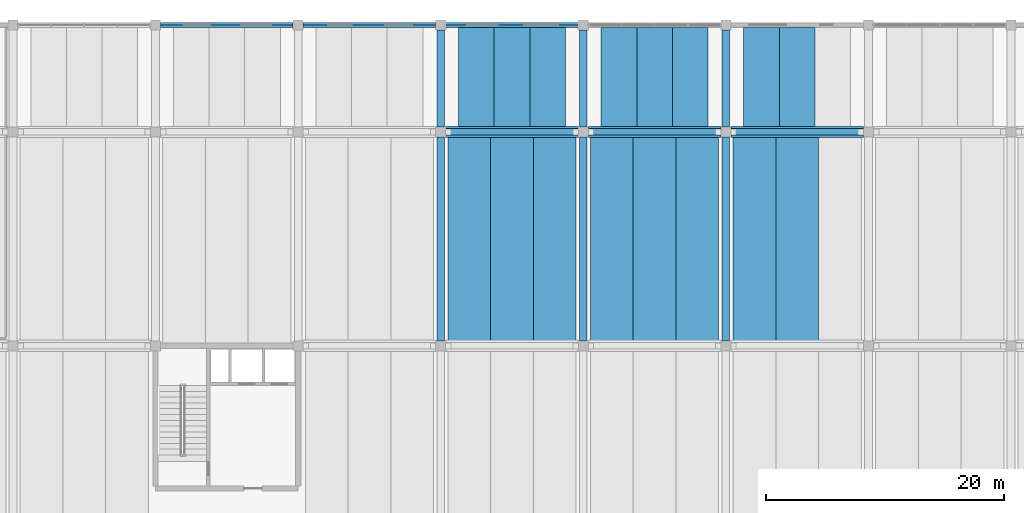
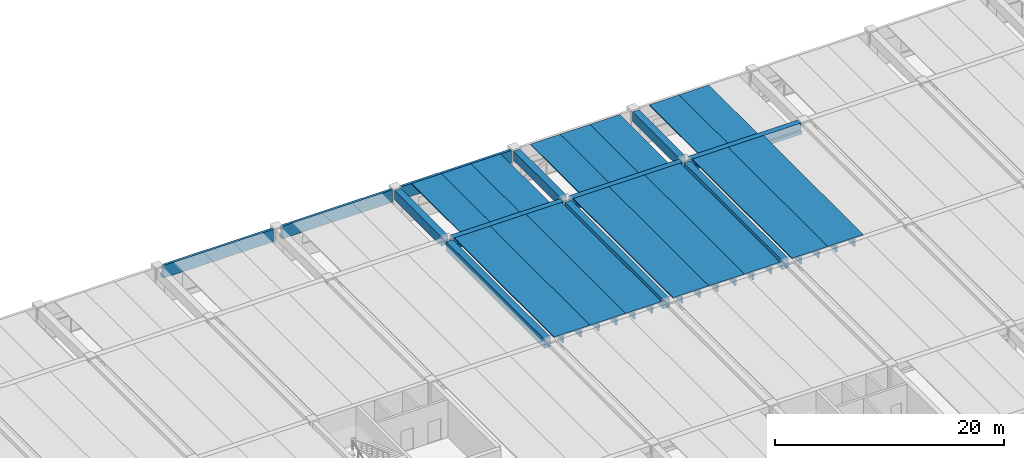
# One storey, part 20 of 50: 28 beams.
"""IFC4 building model written with IfcOpenShell, lengths in metres."""

from ifc_helpers import new_model, si_unit, direction, frame, origin, origin_2d, place, context, subcontext, project, spatial, polyline, rectangle, outline, extrude, material, material_profile, profile_set, type_object, element, save


model = new_model("IFC4")

# Units and contexts
model_context = context("Model", 3, precision=1e-05, world=origin(), true_north=direction((0.0, 1.0)))
body_context = subcontext(model_context, "Body", "Model", "MODEL_VIEW")
ifc_project = project(units=[si_unit("LENGTHUNIT", "METRE"), si_unit("AREAUNIT", "SQUARE_METRE"), si_unit("VOLUMEUNIT", "CUBIC_METRE"), si_unit("PLANEANGLEUNIT", "RADIAN"), si_unit("MASSUNIT", "GRAM", prefix="KILO")], contexts=[model_context])

# Site, building, storey
site_placement = place(None, origin())
site = spatial("IfcSite", under=ifc_project, at=site_placement, CompositionType="ELEMENT")
building_placement = place(site_placement, origin())
building = spatial("IfcBuilding", under=site, at=building_placement, Name="Girod Span Mobility Hub", CompositionType="ELEMENT")
storey_placement = place(building_placement, frame((0.0, 0.0, 5.39990234375)))
storey = spatial("IfcBuildingStorey", under=building, at=storey_placement, Name="L01", CompositionType="ELEMENT", Elevation=5.39990234375)

# Beams
ifc_material_1 = material(Name="Concrete C50/60", Category="concrete")
ifc_material_profile_1 = material_profile(ifc_material_1, outline(polyline([(-1.5, 0.35009765625), (-1.5, 0.2548828125), (-0.840087890625, 0.2548828125), (-0.81494140625, -0.35009765625), (-0.68505859375, -0.35009765625), (-0.659912109375, 0.2548828125), (0.659912109375, 0.2548828125), (0.68505859375, -0.35009765625), (0.81494140625, -0.35009765625), (0.840087890625, 0.2548828125), (1.5, 0.2548828125), (1.5, 0.35009765625), (-1.5, 0.35009765625)])), Name="DT-3000X700")
ifc_profile_set_1 = profile_set([ifc_material_profile_1], Name="Concrete C50/60")
beam_type_1 = type_object("IfcBeamType", Name="BM-DT-3000X700", PredefinedType="JOIST", material=ifc_profile_set_1)
for number, where, z_axis, x_axis, name in (
    (1, (99.0, 105.27197265625, 3.690185546875), (0.0, 1.0, 0.0), (-1.0, 0.0, 0.0), "Double-Tee Deck 9/H-1 L01"),
    (2, (102.0, 105.27197265625, 3.690185546875), (0.0, 1.0, 0.0), (-1.0, 0.0, 0.0), "Double-Tee Deck 9/H-2 L01"),
    (3, (105.0, 105.27197265625, 3.690185546875), (0.0, 1.0, 0.0), (-1.0, 0.0, 0.0), "Double-Tee Deck 9/H-3 L01"),
    (4, (111.0, 105.27197265625, 3.690185546875), (0.0, 1.0, 0.0), (-1.0, 0.0, 0.0), "Double-Tee Deck 10/H-1 L01"),
    (5, (114.0, 105.27197265625, 3.690185546875), (0.0, 1.0, 0.0), (-1.0, 0.0, 0.0), "Double-Tee Deck 10/H-2 L01"),
    (6, (117.0, 105.27197265625, 3.690185546875), (0.0, 1.0, 0.0), (-1.0, 0.0, 0.0), "Double-Tee Deck 10/H-3 L01"),
    (7, (123.0, 105.27197265625, 3.690185546875), (0.0, 1.0, 0.0), (-1.0, 0.0, 0.0), "Double-Tee Deck 11/H-1 L01"),
    (8, (126.0, 105.27197265625, 3.690185546875), (0.0, 1.0, 0.0), (-1.0, 0.0, 0.0), "Double-Tee Deck 11/H-2 L01"),
):
    element("IfcBeam", number, at=place(storey_placement, frame(where, z_axis=z_axis, x_axis=x_axis)), inside=storey, type_object=beam_type_1, Name=name, PredefinedType="JOIST", context=body_context, shape_type="SweptSolid", body=[
        extrude(outline(polyline([(-1.5, 0.35009765625), (-1.5, 0.2548828125), (-0.840087890625, 0.2548828125), (-0.81494140625, -0.35009765625), (-0.68505859375, -0.35009765625), (-0.659912109375, 0.2548828125), (0.659912109375, 0.2548828125), (0.68505859375, -0.35009765625), (0.81494140625, -0.35009765625), (0.840087890625, 0.2548828125), (1.5, 0.2548828125), (1.5, 0.35009765625), (-1.5, 0.35009765625)])), origin(), (0.0, 0.0, 1.0), 8.506103515625),
    ])
ifc_material_2 = material(Name="Concrete C50/60", Category="concrete")
ifc_material_profile_2 = material_profile(ifc_material_2, outline(polyline([(-1.800048828125, 0.47509765625), (-1.800048828125, 0.364990234375), (-1.010009765625, 0.364990234375), (-0.97509765625, -0.47509765625), (-0.824951171875, -0.47509765625), (-0.7900390625, 0.364990234375), (0.7900390625, 0.364990234375), (0.824951171875, -0.47509765625), (0.97509765625, -0.47509765625), (1.010009765625, 0.364990234375), (1.800048828125, 0.364990234375), (1.800048828125, 0.47509765625), (-1.800048828125, 0.47509765625)])), Name="DT-3600X950")
ifc_profile_set_2 = profile_set([ifc_material_profile_2], Name="Concrete C50/60")
beam_type_2 = type_object("IfcBeamType", Name="BM-DT-3600X950", PredefinedType="JOIST", material=ifc_profile_set_2)
for number, where, z_axis, x_axis, name in (
    (9, (98.39990234375, 87.27197265625, 3.565185546875), (0.0, 1.0, 0.0), (-1.0, 0.0, 0.0), "Double-Tee Deck 9/G-1 L01"),
    (10, (102.0, 87.27197265625, 3.565185546875), (0.0, 1.0, 0.0), (-1.0, 0.0, 0.0), "Double-Tee Deck 9/G-2 L01"),
    (11, (105.60009765625, 87.27197265625, 3.565185546875), (0.0, 1.0, 0.0), (-1.0, 0.0, 0.0), "Double-Tee Deck 9/G-3 L01"),
    (12, (110.39990234375, 87.27197265625, 3.565185546875), (0.0, 1.0, 0.0), (-1.0, 0.0, 0.0), "Double-Tee Deck 10/G-1 L01"),
    (13, (114.0, 87.27197265625, 3.565185546875), (0.0, 1.0, 0.0), (-1.0, 0.0, 0.0), "Double-Tee Deck 10/G-2 L01"),
    (14, (117.60009765625, 87.27197265625, 3.565185546875), (0.0, 1.0, 0.0), (-1.0, 0.0, 0.0), "Double-Tee Deck 10/G-3 L01"),
    (15, (122.39990234375, 87.27197265625, 3.565185546875), (0.0, 1.0, 0.0), (-1.0, 0.0, 0.0), "Double-Tee Deck 11/G-1 L01"),
    (16, (126.0, 87.27197265625, 3.565185546875), (0.0, 1.0, 0.0), (-1.0, 0.0, 0.0), "Double-Tee Deck 11/G-2 L01"),
):
    element("IfcBeam", number, at=place(storey_placement, frame(where, z_axis=z_axis, x_axis=x_axis)), inside=storey, type_object=beam_type_2, Name=name, PredefinedType="JOIST", context=body_context, shape_type="SweptSolid", body=[
        extrude(outline(polyline([(-1.800048828125, 0.47509765625), (-1.800048828125, 0.364990234375), (-1.010009765625, 0.364990234375), (-0.97509765625, -0.47509765625), (-0.824951171875, -0.47509765625), (-0.7900390625, 0.364990234375), (0.7900390625, 0.364990234375), (0.824951171875, -0.47509765625), (0.97509765625, -0.47509765625), (1.010009765625, 0.364990234375), (1.800048828125, 0.364990234375), (1.800048828125, 0.47509765625), (-1.800048828125, 0.47509765625)])), origin(), (0.0, 0.0, 1.0), 17.4560546875),
    ])
ifc_material_3 = material(Name="Concrete C50/60", Category="concrete")
ifc_material_profile_3 = material_profile(ifc_material_3, outline(polyline([(-0.47509765625, -0.52490234375), (0.47509765625, -0.52490234375), (0.47509765625, -0.175048828125), (0.27490234375, -0.175048828125), (0.27490234375, 0.52490234375), (-0.27490234375, 0.52490234375), (-0.27490234375, -0.175048828125), (-0.47509765625, -0.175048828125), (-0.47509765625, -0.52490234375)])), Name="IT-950X1050")
ifc_profile_set_3 = profile_set([ifc_material_profile_3], Name="Concrete C50/60")
beam_type_3 = type_object("IfcBeamType", Name="BM-IT-950X1050", PredefinedType="T_BEAM", material=ifc_profile_set_3)
for number, where, z_axis, x_axis, name in (
    (17, (96.422119140625, 105.0, 3.51513671875), (1.0, 0.0, 0.0), (0.0, 1.0, 0.0), "Girder 9-10/H L01"),
    (18, (108.422119140625, 105.0, 3.51513671875), (1.0, 0.0, 0.0), (0.0, 1.0, 0.0), "Girder 10-11/H L01"),
    (19, (120.422119140625, 105.0, 3.51513671875), (1.0, 0.0, 0.0), (0.0, 1.0, 0.0), "Girder 11-12/H L01"),
):
    element("IfcBeam", number, at=place(storey_placement, frame(where, z_axis=z_axis, x_axis=x_axis)), inside=storey, type_object=beam_type_3, Name=name, PredefinedType="T_BEAM", context=body_context, shape_type="SweptSolid", body=[
        extrude(outline(polyline([(-0.47509765625, -0.52490234375), (0.47509765625, -0.52490234375), (0.47509765625, -0.175048828125), (0.27490234375, -0.175048828125), (0.27490234375, 0.52490234375), (-0.27490234375, 0.52490234375), (-0.27490234375, -0.175048828125), (-0.47509765625, -0.175048828125), (-0.47509765625, -0.52490234375)])), origin(), (0.0, 0.0, 1.0), 11.15576171875),
    ])
ifc_material_4 = material(Name="Concrete C40/50", Category="concrete")
ifc_material_profile_4 = material_profile(ifc_material_4, outline(polyline([(-0.22509765625, -0.675048828125), (0.22509765625, -0.675048828125), (0.22509765625, -0.324951171875), (0.02490234375, -0.324951171875), (0.02490234375, 0.675048828125), (-0.22509765625, 0.675048828125), (-0.22509765625, -0.675048828125)])), Name="SP-450X1350")
ifc_profile_set_4 = profile_set([ifc_material_profile_4], Name="Concrete C40/50")
beam_type_4 = type_object("IfcBeamType", Name="BM-SP-450X1350", PredefinedType="SPANDREL", material=ifc_profile_set_4)
for number, where, z_axis, x_axis, name in (
    (20, (72.422119140625, 114.0, 3.364990234375), (1.0, 0.0, 0.0), (0.0, 1.0, 0.0), "Girder 7-8/J L01"),
    (21, (84.422119140625, 114.0, 3.364990234375), (1.0, 0.0, 0.0), (0.0, 1.0, 0.0), "Girder 8-9/J L01"),
    (22, (96.422119140625, 114.0, 3.364990234375), (1.0, 0.0, 0.0), (0.0, 1.0, 0.0), "Girder 9-10/J L01"),
):
    element("IfcBeam", number, at=place(storey_placement, frame(where, z_axis=z_axis, x_axis=x_axis)), inside=storey, type_object=beam_type_4, Name=name, PredefinedType="SPANDREL", context=body_context, shape_type="SweptSolid", body=[
        extrude(outline(polyline([(-0.22509765625, -0.675048828125), (0.22509765625, -0.675048828125), (0.22509765625, -0.324951171875), (0.02490234375, -0.324951171875), (0.02490234375, 0.675048828125), (-0.22509765625, 0.675048828125), (-0.22509765625, -0.675048828125)])), origin(), (0.0, 0.0, 1.0), 11.15576171875),
    ])
ifc_material_5 = material(Name="Concrete C40/50", Category="concrete")
ifc_material_profile_5 = material_profile(ifc_material_5, rectangle(XDim=0.64990234375, YDim=1.0, at=origin_2d()), Name="TG-650X1000")
ifc_profile_set_5 = profile_set([ifc_material_profile_5], Name="Concrete C40/50")
beam_type_5 = type_object("IfcBeamType", Name="BM-TG-650X1000", PredefinedType="T_BEAM", material=ifc_profile_set_5)
beam_1_placement = place(storey_placement, frame((96.0, 87.422119140625, 3.5400390625), z_axis=(0.0, 1.0, 0.0), x_axis=(-1.0, 0.0, 0.0)))
element("IfcBeam", 23, at=beam_1_placement, inside=storey, type_object=beam_type_5, Name="Tie Girder 9/G-H L01", PredefinedType="T_BEAM", context=body_context, shape_type="SweptSolid", body=[
    extrude(rectangle(XDim=0.64990234375, YDim=1.0, at=origin_2d()), origin(), (0.0, 0.0, 1.0), 17.15576171875),
])
beam_2_placement = place(storey_placement, frame((96.0, 105.422119140625, 3.5400390625), z_axis=(0.0, 1.0, 0.0), x_axis=(-1.0, 0.0, 0.0)))
element("IfcBeam", 24, at=beam_2_placement, inside=storey, type_object=beam_type_5, Name="Tie Girder 9/H-J L01", PredefinedType="T_BEAM", context=body_context, shape_type="SweptSolid", body=[
    extrude(rectangle(XDim=0.64990234375, YDim=1.0, at=origin_2d()), origin(), (0.0, 0.0, 1.0), 8.15576171875),
])
beam_3_placement = place(storey_placement, frame((108.0, 87.422119140625, 3.5400390625), z_axis=(0.0, 1.0, 0.0), x_axis=(-1.0, 0.0, 0.0)))
element("IfcBeam", 25, at=beam_3_placement, inside=storey, type_object=beam_type_5, Name="Tie Girder 10/G-H L01", PredefinedType="T_BEAM", context=body_context, shape_type="SweptSolid", body=[
    extrude(rectangle(XDim=0.64990234375, YDim=1.0, at=origin_2d()), origin(), (0.0, 0.0, 1.0), 17.15576171875),
])
beam_4_placement = place(storey_placement, frame((108.0, 105.422119140625, 3.5400390625), z_axis=(0.0, 1.0, 0.0), x_axis=(-1.0, 0.0, 0.0)))
element("IfcBeam", 26, at=beam_4_placement, inside=storey, type_object=beam_type_5, Name="Tie Girder 10/H-J L01", PredefinedType="T_BEAM", context=body_context, shape_type="SweptSolid", body=[
    extrude(rectangle(XDim=0.64990234375, YDim=1.0, at=origin_2d()), origin(), (0.0, 0.0, 1.0), 8.15576171875),
])
beam_5_placement = place(storey_placement, frame((120.0, 87.422119140625, 3.5400390625), z_axis=(0.0, 1.0, 0.0), x_axis=(-1.0, 0.0, 0.0)))
element("IfcBeam", 27, at=beam_5_placement, inside=storey, type_object=beam_type_5, Name="Tie Girder 11/G-H L01", PredefinedType="T_BEAM", context=body_context, shape_type="SweptSolid", body=[
    extrude(rectangle(XDim=0.64990234375, YDim=1.0, at=origin_2d()), origin(), (0.0, 0.0, 1.0), 17.15576171875),
])
beam_6_placement = place(storey_placement, frame((120.0, 105.422119140625, 3.5400390625), z_axis=(0.0, 1.0, 0.0), x_axis=(-1.0, 0.0, 0.0)))
element("IfcBeam", 28, at=beam_6_placement, inside=storey, type_object=beam_type_5, Name="Tie Girder 11/H-J L01", PredefinedType="T_BEAM", context=body_context, shape_type="SweptSolid", body=[
    extrude(rectangle(XDim=0.64990234375, YDim=1.0, at=origin_2d()), origin(), (0.0, 0.0, 1.0), 8.15576171875),
])

save(model, "model.ifc")
